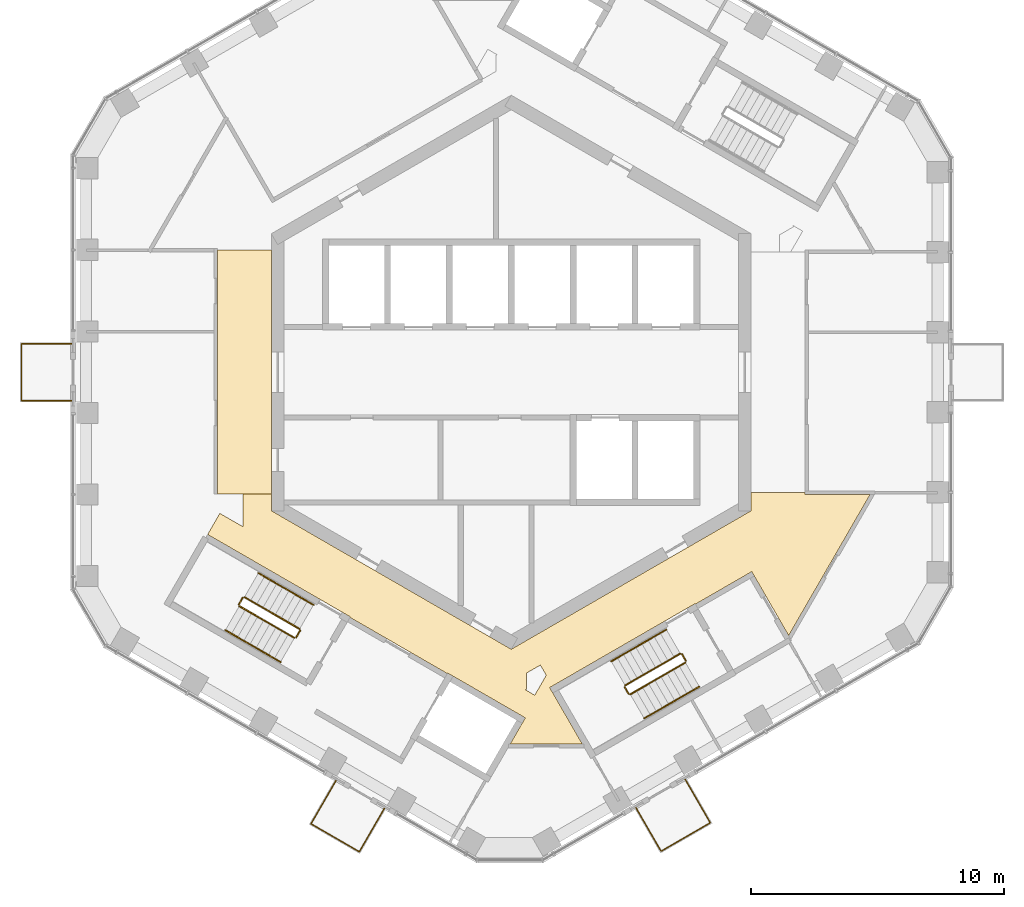
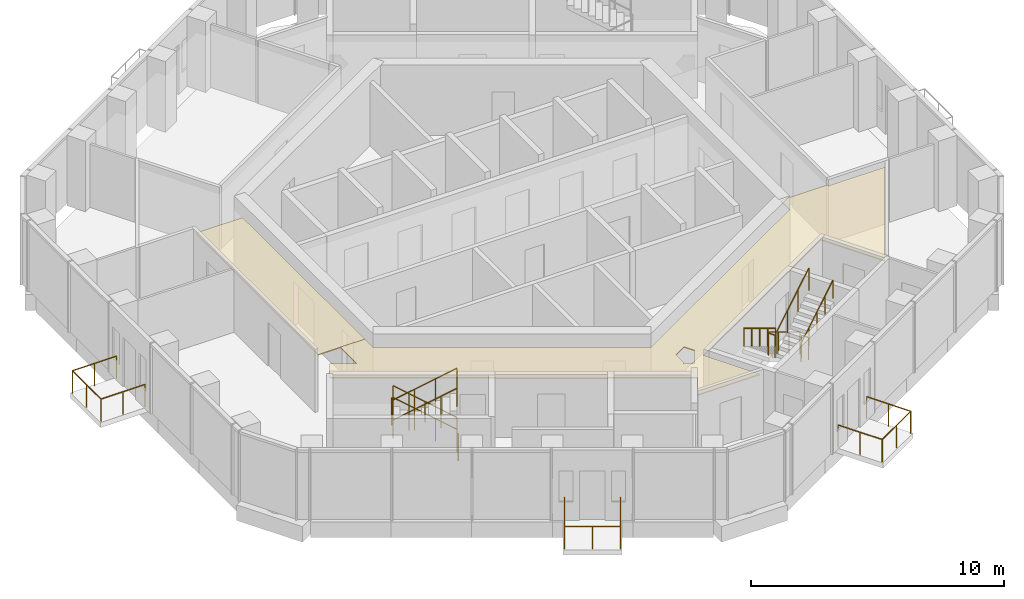
# One storey, part 18 of 19: 19 railings, 2 coverings.
"""IFC4 building model written with IfcOpenShell, lengths in metres."""

from ifc_helpers import new_model, si_unit, direction, frame, origin, origin_2d, place, context, subcontext, project, spatial, polyline, circle, outline, extrude, material, layer, layer_set, type_object, element, save


model = new_model("IFC4")

# Units and contexts
model_context = context("Model", 3, precision=1e-05, world=origin(), true_north=direction((0.0, 1.0)))
body_context = subcontext(model_context, "Body", "Model", "MODEL_VIEW")
ifc_project = project(units=[si_unit("LENGTHUNIT", "METRE"), si_unit("AREAUNIT", "SQUARE_METRE"), si_unit("VOLUMEUNIT", "CUBIC_METRE"), si_unit("PLANEANGLEUNIT", "RADIAN"), si_unit("MASSUNIT", "GRAM", prefix="KILO")], contexts=[model_context])

# Site, building, storey
site_placement = place(None, origin())
site = spatial("IfcSite", under=ifc_project, at=site_placement, CompositionType="ELEMENT")
building_placement = place(site_placement, origin())
building = spatial("IfcBuilding", under=site, at=building_placement, Name="Ayvan Gate Tower", CompositionType="ELEMENT")
storey_placement = place(building_placement, frame((0.0, 0.0, 222.300048828125)))
storey = spatial("IfcBuildingStorey", under=building, at=storey_placement, Name="L59", CompositionType="ELEMENT", Elevation=222.300048828125)

# Railings
ifc_material_1 = material(Name="Stainless steel 316 and laminated glass", Category="steel")
railing_type_1 = type_object("IfcRailingType", Name="Balcony balustrade 1100", PredefinedType="BALUSTRADE", material=ifc_material_1)
railing_1_placement = place(storey_placement, frame((-17.378173828125, 1.12548828125, 0.0)))
element("IfcRailing", 1, at=railing_1_placement, inside=storey, type_object=railing_type_1, Name="Balcony balustrade BAL-L59-3", PredefinedType="BALUSTRADE", context=body_context, shape_type="SweptSolid", body=[
    extrude(circle(Radius=0.02490234375, at=origin_2d()), frame((0.0, 0.0, 1.0751953125), z_axis=(-1.0, 0.0, 0.0), x_axis=(0.0, -1.0, 0.0)), (0.0, 0.0, 1.0), 2.014892578125),
    extrude(circle(Radius=0.02490234375, at=origin_2d()), frame((-2.014892578125, 0.0, 1.0751953125), z_axis=(0.0, -1.0, 0.0), x_axis=(1.0, 0.0, 0.0)), (0.0, 0.0, 1.0), 2.2509765625),
    extrude(circle(Radius=0.02490234375, at=origin_2d()), frame((-2.014892578125, -2.2509765625, 1.0751953125), z_axis=(1.0, 0.0, 0.0), x_axis=(0.0, 1.0, 0.0)), (0.0, 0.0, 1.0), 2.014892578125),
    extrude(circle(Radius=0.02001953125, at=origin_2d()), origin(), (0.0, 0.0, 1.0), 1.050048828125),
    extrude(circle(Radius=0.02001953125, at=origin_2d()), frame((-1.00732421875, 0.0, 0.0)), (0.0, 0.0, 1.0), 1.050048828125),
    extrude(circle(Radius=0.02001953125, at=origin_2d()), frame((-2.014892578125, 0.0, 0.0)), (0.0, 0.0, 1.0), 1.050048828125),
    extrude(circle(Radius=0.02001953125, at=origin_2d()), frame((-2.014892578125, -1.12548828125, 0.0)), (0.0, 0.0, 1.0), 1.050048828125),
    extrude(circle(Radius=0.02001953125, at=origin_2d()), frame((-2.014892578125, -2.2509765625, 0.0)), (0.0, 0.0, 1.0), 1.050048828125),
    extrude(circle(Radius=0.02001953125, at=origin_2d()), frame((-1.00732421875, -2.2509765625, 0.0)), (0.0, 0.0, 1.0), 1.050048828125),
    extrude(circle(Radius=0.02001953125, at=origin_2d()), frame((0.0, -2.2509765625, 0.0)), (0.0, 0.0, 1.0), 1.050048828125),
])
railing_2_placement = place(storey_placement, frame((-6.921875, -16.138671875, 0.0)))
element("IfcRailing", 2, at=railing_2_placement, inside=storey, type_object=railing_type_1, Name="Balcony balustrade BAL-L59-4", PredefinedType="BALUSTRADE", context=body_context, shape_type="SweptSolid", body=[
    extrude(circle(Radius=0.02490234375, at=origin_2d()), frame((0.0, 0.0, 1.0751953125), z_axis=(-0.500009111705, -0.866020143075, 0.0), x_axis=(0.866020143075, -0.500009111705, 0.0)), (0.0, 0.0, 1.0), 2.01513671875),
    extrude(circle(Radius=0.02490234375, at=origin_2d()), frame((-1.007568359375, -1.7451171875, 1.0751953125), z_axis=(0.866066005596, -0.499929669004, 0.0), x_axis=(0.499929669004, 0.866066005596, 0.0)), (0.0, 0.0, 1.0), 2.209716796875),
    extrude(circle(Radius=0.02490234375, at=origin_2d()), frame((0.90625, -2.849853515625, 1.0751953125), z_axis=(0.500061578839, 0.865989848306, 0.0), x_axis=(-0.865989848306, 0.500061578839, 0.0)), (0.0, 0.0, 1.0), 2.014892578125),
    extrude(circle(Radius=0.02001953125, at=origin_2d()), origin(), (0.0, 0.0, 1.0), 1.050048828125),
    extrude(circle(Radius=0.02001953125, at=origin_2d()), frame((-0.50390625, -0.87255859375, 0.0)), (0.0, 0.0, 1.0), 1.050048828125),
    extrude(circle(Radius=0.02001953125, at=origin_2d()), frame((-1.007568359375, -1.7451171875, 0.0)), (0.0, 0.0, 1.0), 1.050048828125),
    extrude(circle(Radius=0.02001953125, at=origin_2d()), frame((-0.05078125, -2.29736328125, 0.0)), (0.0, 0.0, 1.0), 1.050048828125),
    extrude(circle(Radius=0.02001953125, at=origin_2d()), frame((0.90625, -2.849853515625, 0.0)), (0.0, 0.0, 1.0), 1.050048828125),
    extrude(circle(Radius=0.02001953125, at=origin_2d()), frame((1.41015625, -1.9775390625, 0.0)), (0.0, 0.0, 1.0), 1.050048828125),
    extrude(circle(Radius=0.02001953125, at=origin_2d()), frame((1.913818359375, -1.10498046875, 0.0)), (0.0, 0.0, 1.0), 1.050048828125),
])
railing_3_placement = place(storey_placement, frame((4.925048828125, -17.22314453125, 0.0)))
element("IfcRailing", 3, at=railing_3_placement, inside=storey, type_object=railing_type_1, Name="Balcony balustrade BAL-L59-5", PredefinedType="BALUSTRADE", context=body_context, shape_type="SweptSolid", body=[
    extrude(circle(Radius=0.02490234375, at=origin_2d()), frame((0.0, 0.0, 1.0751953125), z_axis=(0.500061578839, -0.865989848306, 0.0), x_axis=(0.865989848306, 0.500061578839, 0.0)), (0.0, 0.0, 1.0), 2.014892578125),
    extrude(circle(Radius=0.02490234375, at=origin_2d()), frame((1.007568359375, -1.744873046875, 1.0751953125), z_axis=(0.866004950882, 0.500035423793, 0.0), x_axis=(-0.500035423793, 0.866004950882, 0.0)), (0.0, 0.0, 1.0), 2.250732421875),
    extrude(circle(Radius=0.02490234375, at=origin_2d()), frame((2.956787109375, -0.619384765625, 1.0751953125), z_axis=(-0.500061578839, 0.865989848306, 0.0), x_axis=(-0.865989848306, -0.500061578839, 0.0)), (0.0, 0.0, 1.0), 2.014892578125),
    extrude(circle(Radius=0.02001953125, at=origin_2d()), origin(), (0.0, 0.0, 1.0), 1.050048828125),
    extrude(circle(Radius=0.02001953125, at=origin_2d()), frame((0.50390625, -0.87255859375, 0.0)), (0.0, 0.0, 1.0), 1.050048828125),
    extrude(circle(Radius=0.02001953125, at=origin_2d()), frame((1.007568359375, -1.744873046875, 0.0)), (0.0, 0.0, 1.0), 1.050048828125),
    extrude(circle(Radius=0.02001953125, at=origin_2d()), frame((1.982177734375, -1.18212890625, 0.0)), (0.0, 0.0, 1.0), 1.050048828125),
    extrude(circle(Radius=0.02001953125, at=origin_2d()), frame((2.956787109375, -0.619384765625, 0.0)), (0.0, 0.0, 1.0), 1.050048828125),
    extrude(circle(Radius=0.02001953125, at=origin_2d()), frame((2.453125, 0.2529296875, 0.0)), (0.0, 0.0, 1.0), 1.050048828125),
    extrude(circle(Radius=0.02001953125, at=origin_2d()), frame((1.94921875, 1.12548828125, 0.0)), (0.0, 0.0, 1.0), 1.050048828125),
])

# Coverings
ifc_material_2 = material(Name="Plasterboard suspended ceiling")
ifc_layer = layer(ifc_material_2, 0.050048828125)
ifc_layer_set = layer_set([ifc_layer], Name="Plasterboard suspended ceiling")
covering_type = type_object("IfcCoveringType", Name="CT-SUSP-50", PredefinedType="CEILING", material=ifc_layer_set)
covering_1_placement = place(storey_placement, frame((0.0, 0.0, 2.699951171875)))
element("IfcCovering", 4, at=covering_1_placement, inside=storey, type_object=covering_type, Name="Ceiling Gallery L59", PredefinedType="CEILING", context=body_context, shape_type="SweptSolid", body=[
    extrude(outline(polyline([(-4.66748046875, -8.27490234375), (0.0, -10.9697265625), (4.66748046875, -8.27490234375), (8.38720703125, -6.127197265625), (9.5, -5.48486328125), (9.5, -4.769775390625), (11.625, -4.769775390625), (11.625, -4.8447265625), (14.207763671875, -4.8447265625), (10.985107421875, -10.426513671875), (9.623779296875, -8.069091796875), (9.52392578125, -7.89599609375), (7.2939453125, -9.183349609375), (7.281494140625, -9.16162109375), (1.522216796875, -12.48681640625), (1.647216796875, -12.703369140625), (2.8154296875, -14.7265625), (-0.044189453125, -14.7265625), (0.43115234375, -13.9033203125), (0.55615234375, -13.686767578125), (-2.284423828125, -12.046630859375), (-2.518310546875, -11.91162109375), (-2.53076171875, -11.933349609375), (-6.384521484375, -9.70849609375), (-6.3720703125, -9.686767578125), (-12.02294921875, -6.42431640625), (-11.540283203125, -5.58837890625), (-10.6201171875, -6.119873046875), (-10.6201171875, -4.831298828125), (-9.5, -4.831298828125), (-9.5, -5.48486328125), (-4.66748046875, -8.27490234375)]), holes=[polyline([(1.153076171875, -11.59716796875), (0.60009765625, -11.91650390625), (0.60009765625, -12.56298828125), (0.53955078125, -12.56298828125), (0.930419921875, -12.78857421875), (1.385498046875, -12.0), (1.153076171875, -11.59716796875)])]), origin(), (0.0, 0.0, 1.0), 0.050048828125),
])
covering_2_placement = place(storey_placement, frame((0.0, 0.0, 2.699951171875)))
element("IfcCovering", 5, at=covering_2_placement, inside=storey, type_object=covering_type, Name="Ceiling Lift Lounge Lobby L59", PredefinedType="CEILING", context=body_context, shape_type="SweptSolid", body=[
    extrude(outline(polyline([(-11.625, 4.831298828125), (-9.5, 4.831298828125), (-9.5, -4.831298828125), (-11.625, -4.831298828125), (-11.625, 4.831298828125)])), origin(), (0.0, 0.0, 1.0), 0.050048828125),
])

# Railings
ifc_material_3 = material(Name="Stainless steel balustrade", Category="steel")
railing_type_2 = type_object("IfcRailingType", Name="RL-GUARD-1100", PredefinedType="GUARDRAIL", material=ifc_material_3)
railing_4_placement = place(storey_placement, frame((-8.381103515625, -10.16650390625, 0.169921875)))
element("IfcRailing", 6, at=railing_4_placement, inside=storey, type_object=railing_type_2, Name="L59 STS2 stair guard 1", PredefinedType="GUARDRAIL", context=body_context, shape_type="SweptSolid", body=[
    extrude(circle(Radius=0.02392578125, at=origin_2d()), frame((0.0, 0.0, 1.076171875), z_axis=(-0.740261155115, 0.427395438142, 0.518986090067), x_axis=(-0.500004791531, -0.866022637375, 0.0)), (0.0, 0.0, 1.0), 2.947998046875),
    extrude(circle(Radius=0.02099609375, at=origin_2d()), origin(), (0.0, 0.0, 1.0), 1.052001953125),
    extrude(circle(Radius=0.02099609375, at=origin_2d()), frame((-0.7275390625, 0.419921875, 0.510009765625)), (0.0, 0.0, 1.0), 1.052001953125),
    extrude(circle(Radius=0.02099609375, at=origin_2d()), frame((-1.454833984375, 0.840087890625, 1.02001953125)), (0.0, 0.0, 1.0), 1.052001953125),
    extrude(circle(Radius=0.02099609375, at=origin_2d()), frame((-2.182373046875, 1.260009765625, 1.530029296875)), (0.0, 0.0, 1.0), 1.052001953125),
])
railing_5_placement = place(storey_placement, frame((-10.6318359375, -8.9248046875, 1.699951171875)))
element("IfcRailing", 7, at=railing_5_placement, inside=storey, type_object=railing_type_2, Name="L59 STS2 stair guard 2", PredefinedType="GUARDRAIL", context=body_context, shape_type="SweptSolid", body=[
    extrude(circle(Radius=0.02392578125, at=origin_2d()), frame((0.0, 0.0, 1.076171875), z_axis=(-0.499949632511, -0.866054481515, 0.0), x_axis=(0.866054481515, -0.499949632511, 0.0)), (0.0, 0.0, 1.0), 0.31005859375),
    extrude(circle(Radius=0.02099609375, at=origin_2d()), origin(), (0.0, 0.0, 1.0), 1.052001953125),
    extrude(circle(Radius=0.02099609375, at=origin_2d()), frame((-0.155029296875, -0.2685546875, 0.0)), (0.0, 0.0, 1.0), 1.052001953125),
])
railing_6_placement = place(storey_placement, frame((-10.7685546875, -9.261474609375, 1.869873046875)))
element("IfcRailing", 8, at=railing_6_placement, inside=storey, type_object=railing_type_2, Name="L59 STS2 stair guard 3", PredefinedType="GUARDRAIL", context=body_context, shape_type="SweptSolid", body=[
    extrude(circle(Radius=0.02392578125, at=origin_2d()), frame((0.0, 0.0, 1.076171875), z_axis=(0.740261155115, -0.427395438142, 0.518986090067), x_axis=(0.500004791531, 0.866022637375, 0.0)), (0.0, 0.0, 1.0), 2.947998046875),
    extrude(circle(Radius=0.02099609375, at=origin_2d()), origin(), (0.0, 0.0, 1.0), 1.052001953125),
    extrude(circle(Radius=0.02099609375, at=origin_2d()), frame((0.7275390625, -0.419921875, 0.510009765625)), (0.0, 0.0, 1.0), 1.052001953125),
    extrude(circle(Radius=0.02099609375, at=origin_2d()), frame((1.454833984375, -0.840087890625, 1.02001953125)), (0.0, 0.0, 1.0), 1.052001953125),
    extrude(circle(Radius=0.02099609375, at=origin_2d()), frame((2.182373046875, -1.260009765625, 1.530029296875)), (0.0, 0.0, 1.0), 1.052001953125),
])
railing_7_placement = place(storey_placement, frame((-8.36279296875, -10.23486328125, 0.0)))
element("IfcRailing", 9, at=railing_7_placement, inside=storey, type_object=railing_type_2, Name="L59 STS2 stair guard 4", PredefinedType="GUARDRAIL", context=body_context, shape_type="SweptSolid", body=[
    extrude(circle(Radius=0.02392578125, at=origin_2d()), frame((0.0, 0.0, 1.076171875), z_axis=(-0.500290723946, -0.86585748916, 0.0), x_axis=(0.86585748916, -0.500290723946, 0.0)), (0.0, 0.0, 1.0), 0.309814453125),
    extrude(circle(Radius=0.02099609375, at=origin_2d()), origin(), (0.0, 0.0, 1.0), 1.052001953125),
    extrude(circle(Radius=0.02099609375, at=origin_2d()), frame((-0.155029296875, -0.268310546875, 0.0)), (0.0, 0.0, 1.0), 1.052001953125),
])
railing_8_placement = place(storey_placement, frame((6.6923828125, -11.1416015625, 0.169921875)))
element("IfcRailing", 10, at=railing_8_placement, inside=storey, type_object=railing_type_2, Name="L59 STS3 stair guard 1", PredefinedType="GUARDRAIL", context=body_context, shape_type="SweptSolid", body=[
    extrude(circle(Radius=0.02392578125, at=origin_2d()), frame((0.0, 0.0, 1.076171875), z_axis=(-0.740261155115, -0.427395438142, 0.518986090067), x_axis=(0.500004791531, -0.866022637375, 0.0)), (0.0, 0.0, 1.0), 2.947998046875),
    extrude(circle(Radius=0.02099609375, at=origin_2d()), origin(), (0.0, 0.0, 1.0), 1.052001953125),
    extrude(circle(Radius=0.02099609375, at=origin_2d()), frame((-0.7275390625, -0.419921875, 0.510009765625)), (0.0, 0.0, 1.0), 1.052001953125),
    extrude(circle(Radius=0.02099609375, at=origin_2d()), frame((-1.454833984375, -0.840087890625, 1.02001953125)), (0.0, 0.0, 1.0), 1.052001953125),
    extrude(circle(Radius=0.02099609375, at=origin_2d()), frame((-2.182373046875, -1.260009765625, 1.530029296875)), (0.0, 0.0, 1.0), 1.052001953125),
])
railing_9_placement = place(storey_placement, frame((4.49169921875, -12.4697265625, 1.699951171875)))
element("IfcRailing", 11, at=railing_9_placement, inside=storey, type_object=railing_type_2, Name="L59 STS3 stair guard 2", PredefinedType="GUARDRAIL", context=body_context, shape_type="SweptSolid", body=[
    extrude(circle(Radius=0.02392578125, at=origin_2d()), frame((0.0, 0.0, 1.076171875), z_axis=(0.499949632511, -0.866054481515, 0.0), x_axis=(0.866054481515, 0.499949632511, 0.0)), (0.0, 0.0, 1.0), 0.31005859375),
    extrude(circle(Radius=0.02099609375, at=origin_2d()), origin(), (0.0, 0.0, 1.0), 1.052001953125),
    extrude(circle(Radius=0.02099609375, at=origin_2d()), frame((0.155029296875, -0.2685546875, 0.0)), (0.0, 0.0, 1.0), 1.052001953125),
])
railing_10_placement = place(storey_placement, frame((4.715087890625, -12.756591796875, 1.869873046875)))
element("IfcRailing", 12, at=railing_10_placement, inside=storey, type_object=railing_type_2, Name="L59 STS3 stair guard 3", PredefinedType="GUARDRAIL", context=body_context, shape_type="SweptSolid", body=[
    extrude(circle(Radius=0.02392578125, at=origin_2d()), frame((0.0, 0.0, 1.076171875), z_axis=(0.740261155115, 0.427395438142, 0.518986090067), x_axis=(-0.500004791531, 0.866022637375, 0.0)), (0.0, 0.0, 1.0), 2.947998046875),
    extrude(circle(Radius=0.02099609375, at=origin_2d()), origin(), (0.0, 0.0, 1.0), 1.052001953125),
    extrude(circle(Radius=0.02099609375, at=origin_2d()), frame((0.7275390625, 0.419921875, 0.510009765625)), (0.0, 0.0, 1.0), 1.052001953125),
    extrude(circle(Radius=0.02099609375, at=origin_2d()), frame((1.454833984375, 0.840087890625, 1.02001953125)), (0.0, 0.0, 1.0), 1.052001953125),
    extrude(circle(Radius=0.02099609375, at=origin_2d()), frame((2.182373046875, 1.260009765625, 1.530029296875)), (0.0, 0.0, 1.0), 1.052001953125),
])
railing_11_placement = place(storey_placement, frame((6.7607421875, -11.159912109375, 0.0)))
element("IfcRailing", 13, at=railing_11_placement, inside=storey, type_object=railing_type_2, Name="L59 STS3 stair guard 4", PredefinedType="GUARDRAIL", context=body_context, shape_type="SweptSolid", body=[
    extrude(circle(Radius=0.02392578125, at=origin_2d()), frame((0.0, 0.0, 1.076171875), z_axis=(0.500290723946, -0.86585748916, 0.0), x_axis=(0.86585748916, 0.500290723946, 0.0)), (0.0, 0.0, 1.0), 0.309814453125),
    extrude(circle(Radius=0.02099609375, at=origin_2d()), origin(), (0.0, 0.0, 1.0), 1.052001953125),
    extrude(circle(Radius=0.02099609375, at=origin_2d()), frame((0.155029296875, -0.268310546875, 0.0)), (0.0, 0.0, 1.0), 1.052001953125),
])
railing_type_3 = type_object("IfcRailingType", Name="RL-HANDRAIL-900", PredefinedType="HANDRAIL", material=ifc_material_3)
railing_12_placement = place(storey_placement, frame((-7.8310546875, -9.2138671875, 0.169921875)))
element("IfcRailing", 14, at=railing_12_placement, inside=storey, type_object=railing_type_3, Name="L59 STS2 stair handrail 1", PredefinedType="HANDRAIL", context=body_context, shape_type="SweptSolid", body=[
    extrude(circle(Radius=0.02392578125, at=origin_2d()), frame((0.0, 0.0, 0.8759765625), z_axis=(-0.740292964666, 0.42728318766, 0.519033143459), x_axis=(-0.499890179513, -0.866088799389, 0.0)), (0.0, 0.0, 1.0), 1.47412109375),
    extrude(circle(Radius=0.02099609375, at=origin_2d()), origin(), (0.0, 0.0, 1.0), 0.851806640625),
    extrude(circle(Radius=0.02099609375, at=origin_2d()), frame((-0.545654296875, 0.31494140625, 0.382568359375)), (0.0, 0.0, 1.0), 0.851806640625),
    extrude(circle(Radius=0.02099609375, at=origin_2d()), frame((-1.09130859375, 0.6298828125, 0.76513671875)), (0.0, 0.0, 1.0), 0.851806640625),
])
railing_13_placement = place(storey_placement, frame((-8.92236328125, -8.583984375, 0.93505859375)))
element("IfcRailing", 15, at=railing_13_placement, inside=storey, type_object=railing_type_3, Name="L59 STS2 stair handrail 2", PredefinedType="HANDRAIL", context=body_context, shape_type="SweptSolid", body=[
    extrude(circle(Radius=0.02392578125, at=origin_2d()), frame((0.0, 0.0, 0.8759765625), z_axis=(-0.740229329464, 0.427507697325, 0.518939021976), x_axis=(-0.50011940292, -0.865956455501, 0.0)), (0.0, 0.0, 1.0), 1.473876953125),
    extrude(circle(Radius=0.02099609375, at=origin_2d()), origin(), (0.0, 0.0, 1.0), 0.851806640625),
    extrude(circle(Radius=0.02099609375, at=origin_2d()), frame((-0.54541015625, 0.31494140625, 0.38232421875)), (0.0, 0.0, 1.0), 0.851806640625),
    extrude(circle(Radius=0.02099609375, at=origin_2d()), frame((-1.091064453125, 0.630126953125, 0.764892578125)), (0.0, 0.0, 1.0), 0.851806640625),
])
railing_14_placement = place(storey_placement, frame((-11.318603515625, -10.214111328125, 1.869873046875)))
element("IfcRailing", 16, at=railing_14_placement, inside=storey, type_object=railing_type_3, Name="L59 STS2 stair handrail 3", PredefinedType="HANDRAIL", context=body_context, shape_type="SweptSolid", body=[
    extrude(circle(Radius=0.02392578125, at=origin_2d()), frame((0.0, 0.0, 0.8759765625), z_axis=(0.740240574041, -0.427418550694, 0.518996411419), x_axis=(0.500035496587, 0.86600490885, 0.0)), (0.0, 0.0, 1.0), 1.474365234375),
    extrude(circle(Radius=0.02099609375, at=origin_2d()), origin(), (0.0, 0.0, 1.0), 0.851806640625),
    extrude(circle(Radius=0.02099609375, at=origin_2d()), frame((0.545654296875, -0.31494140625, 0.382568359375)), (0.0, 0.0, 1.0), 0.851806640625),
    extrude(circle(Radius=0.02099609375, at=origin_2d()), frame((1.09130859375, -0.630126953125, 0.76513671875)), (0.0, 0.0, 1.0), 0.851806640625),
])
railing_15_placement = place(storey_placement, frame((-10.227294921875, -10.84423828125, 2.635009765625)))
element("IfcRailing", 17, at=railing_15_placement, inside=storey, type_object=railing_type_3, Name="L59 STS2 stair handrail 4", PredefinedType="HANDRAIL", context=body_context, shape_type="SweptSolid", body=[
    extrude(circle(Radius=0.02392578125, at=origin_2d()), frame((0.0, 0.0, 0.8759765625), z_axis=(0.740356597536, -0.427319915356, 0.518912129772), x_axis=(0.499890179513, 0.866088799389, 0.0)), (0.0, 0.0, 1.0), 1.47412109375),
    extrude(circle(Radius=0.02099609375, at=origin_2d()), origin(), (0.0, 0.0, 1.0), 0.851806640625),
    extrude(circle(Radius=0.02099609375, at=origin_2d()), frame((0.545654296875, -0.31494140625, 0.38232421875)), (0.0, 0.0, 1.0), 0.851806640625),
    extrude(circle(Radius=0.02099609375, at=origin_2d()), frame((1.09130859375, -0.6298828125, 0.764892578125)), (0.0, 0.0, 1.0), 0.851806640625),
])
railing_16_placement = place(storey_placement, frame((6.142333984375, -10.18896484375, 0.169921875)))
element("IfcRailing", 18, at=railing_16_placement, inside=storey, type_object=railing_type_3, Name="L59 STS3 stair handrail 1", PredefinedType="HANDRAIL", context=body_context, shape_type="SweptSolid", body=[
    extrude(circle(Radius=0.02392578125, at=origin_2d()), frame((0.0, 0.0, 0.8759765625), z_axis=(-0.740218099111, -0.427335577468, 0.519096782863), x_axis=(0.499974077718, -0.866040369504, 0.0)), (0.0, 0.0, 1.0), 1.473876953125),
    extrude(circle(Radius=0.02099609375, at=origin_2d()), origin(), (0.0, 0.0, 1.0), 0.851806640625),
    extrude(circle(Radius=0.02099609375, at=origin_2d()), frame((-0.54541015625, -0.31494140625, 0.382568359375)), (0.0, 0.0, 1.0), 0.851806640625),
    extrude(circle(Radius=0.02099609375, at=origin_2d()), frame((-1.091064453125, -0.6298828125, 0.76513671875)), (0.0, 0.0, 1.0), 0.851806640625),
])
railing_17_placement = place(storey_placement, frame((5.05126953125, -10.81884765625, 0.93505859375)))
element("IfcRailing", 19, at=railing_17_placement, inside=storey, type_object=railing_type_3, Name="L59 STS3 stair handrail 2", PredefinedType="HANDRAIL", context=body_context, shape_type="SweptSolid", body=[
    extrude(circle(Radius=0.02392578125, at=origin_2d()), frame((0.0, 0.0, 0.8759765625), z_axis=(-0.740304193401, -0.427455284825, 0.518875399983), x_axis=(0.500035496587, -0.86600490885, 0.0)), (0.0, 0.0, 1.0), 1.47412109375),
    extrude(circle(Radius=0.02099609375, at=origin_2d()), origin(), (0.0, 0.0, 1.0), 0.851806640625),
    extrude(circle(Radius=0.02099609375, at=origin_2d()), frame((-0.545654296875, -0.31494140625, 0.38232421875)), (0.0, 0.0, 1.0), 0.851806640625),
    extrude(circle(Radius=0.02099609375, at=origin_2d()), frame((-1.09130859375, -0.630126953125, 0.764892578125)), (0.0, 0.0, 1.0), 0.851806640625),
])
railing_18_placement = place(storey_placement, frame((5.264892578125, -13.709228515625, 1.869873046875)))
element("IfcRailing", 20, at=railing_18_placement, inside=storey, type_object=railing_type_3, Name="L59 STS3 stair handrail 3", PredefinedType="HANDRAIL", context=body_context, shape_type="SweptSolid", body=[
    extrude(circle(Radius=0.02392578125, at=origin_2d()), frame((0.0, 0.0, 0.8759765625), z_axis=(0.740240574041, 0.427418550694, 0.518996411419), x_axis=(-0.500035496587, 0.86600490885, 0.0)), (0.0, 0.0, 1.0), 1.474365234375),
    extrude(circle(Radius=0.02099609375, at=origin_2d()), origin(), (0.0, 0.0, 1.0), 0.851806640625),
    extrude(circle(Radius=0.02099609375, at=origin_2d()), frame((0.545654296875, 0.31494140625, 0.382568359375)), (0.0, 0.0, 1.0), 0.851806640625),
    extrude(circle(Radius=0.02099609375, at=origin_2d()), frame((1.09130859375, 0.630126953125, 0.76513671875)), (0.0, 0.0, 1.0), 0.851806640625),
])
railing_19_placement = place(storey_placement, frame((6.356201171875, -13.0791015625, 2.635009765625)))
element("IfcRailing", 21, at=railing_19_placement, inside=storey, type_object=railing_type_3, Name="L59 STS3 stair handrail 4", PredefinedType="HANDRAIL", context=body_context, shape_type="SweptSolid", body=[
    extrude(circle(Radius=0.02392578125, at=origin_2d()), frame((0.0, 0.0, 0.8759765625), z_axis=(0.740281741151, 0.427372318678, 0.518975765278), x_axis=(-0.499974077718, 0.866040369504, 0.0)), (0.0, 0.0, 1.0), 1.473876953125),
    extrude(circle(Radius=0.02099609375, at=origin_2d()), origin(), (0.0, 0.0, 1.0), 0.851806640625),
    extrude(circle(Radius=0.02099609375, at=origin_2d()), frame((0.54541015625, 0.31494140625, 0.38232421875)), (0.0, 0.0, 1.0), 0.851806640625),
    extrude(circle(Radius=0.02099609375, at=origin_2d()), frame((1.091064453125, 0.6298828125, 0.764892578125)), (0.0, 0.0, 1.0), 0.851806640625),
])

save(model, "model.ifc")
